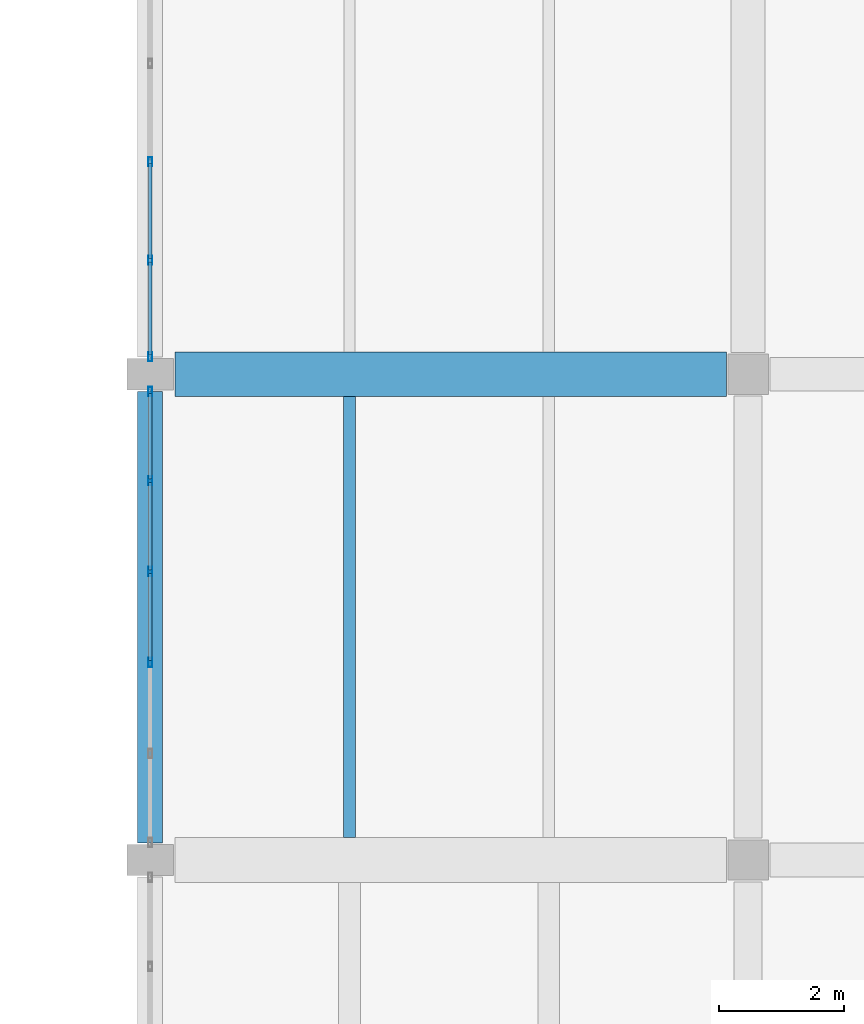
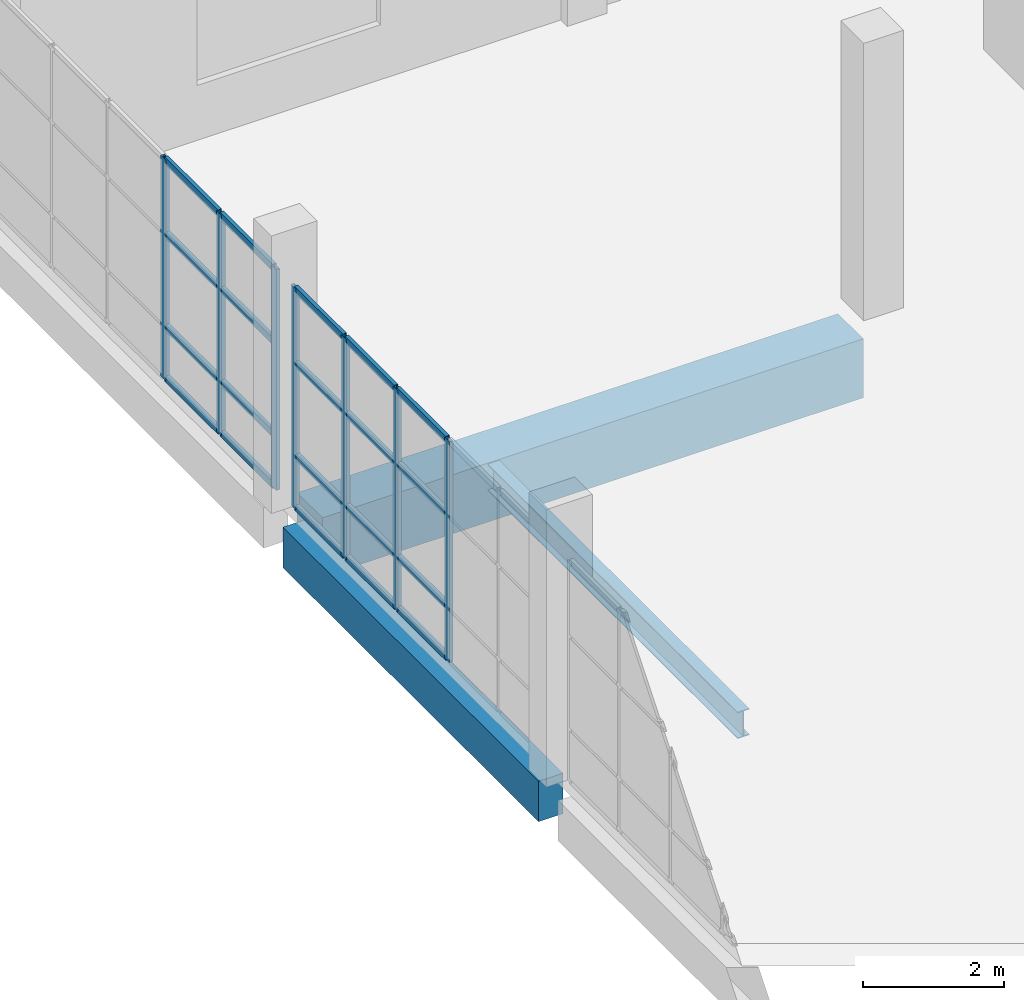
# One storey, part 41 of 79: 27 members, 3 beams, 2 elements without a shape of their own.
"""IFC4 building model written with IfcOpenShell, lengths in metres."""

import ifcopenshell
import ifcopenshell.guid

model = None  # the IFC model being written
_history = None  # IfcOwnerHistory: only IFC2X3 demands one
_inside = {}  # id of a spatial element -> (the spatial element, [elements in it])
_under = {}  # id of a project, library or spatial element -> (it, [spatial elements below it])
_declared = {}  # id of a project -> (the project, [libraries it declares])
_typed = {}  # id of a type object -> (the type object, [elements of that type])
_made_of = {}  # id of a material, layer set ... -> (it, [elements and type objects made of it])


def new_model(schema):
    """Start an empty IFC model of exactly this schema.

    Asked for "IFC4X3", IfcOpenShell would pick the latest addendum, in which some entities
    have other attributes; the version numbers below select the first issue.
    IFC2X3 requires an IfcOwnerHistory on every rooted entity: one is made here for all.
    """
    global model, _history
    if schema == "IFC4X3":
        model = ifcopenshell.file(schema_version=(4, 3, 0, 0))
    else:
        model = ifcopenshell.file(schema=schema)
    _inside.clear()
    _under.clear()
    _declared.clear()
    _typed.clear()
    _made_of.clear()
    _history = None
    if model.schema == "IFC2X3":
        org = make("IfcOrganization", Name="unknown")
        user = make(
            "IfcPersonAndOrganization",
            ThePerson=make("IfcPerson", FamilyName="unknown"),
            TheOrganization=org,
        )
        app = make(
            "IfcApplication",
            ApplicationDeveloper=org,
            Version="unknown",
            ApplicationFullName="unknown",
            ApplicationIdentifier="unknown",
        )
        _history = make(
            "IfcOwnerHistory",
            OwningUser=user,
            OwningApplication=app,
            ChangeAction="ADDED",
            CreationDate=0,
        )
    return model


def make(cls, **values):
    """One entity of the class cls with the attributes given. An attribute that is None is left unset."""
    return model.create_entity(
        cls, **{name: value for name, value in values.items() if value is not None}
    )


def rooted(cls, **values):
    """An entity with a GlobalId (a new one), such as an element, a storey or a relation."""
    return make(cls, GlobalId=ifcopenshell.guid.new(), OwnerHistory=_history, **values)


def si_unit(unit_type, name, prefix=None):
    """IfcSIUnit, for example si_unit("LENGTHUNIT", "METRE", prefix="MILLI")."""
    return make("IfcSIUnit", UnitType=unit_type, Prefix=prefix, Name=name)


def assignment(units):
    """IfcUnitAssignment: the units of a project."""
    return None if units is None else make("IfcUnitAssignment", Units=units)


def point(xyz):
    """IfcCartesianPoint."""
    return None if xyz is None else make("IfcCartesianPoint", Coordinates=xyz)


def direction(xyz):
    """IfcDirection."""
    return None if xyz is None else make("IfcDirection", DirectionRatios=xyz)


def frame(location, z_axis=None, x_axis=None):
    """IfcAxis2Placement3D, a coordinate frame: its origin and axes. An axis left out is left unset."""
    return make(
        "IfcAxis2Placement3D",
        Location=point(location),
        Axis=direction(z_axis),
        RefDirection=direction(x_axis),
    )


def frame_2d(location, x_axis=None):
    """IfcAxis2Placement2D, a coordinate frame in the plane: its origin and x axis."""
    return make(
        "IfcAxis2Placement2D", Location=point(location), RefDirection=direction(x_axis)
    )


def origin():
    """The frame at (0, 0, 0) with its axes left unset."""
    return frame((0.0, 0.0, 0.0))


def origin_2d():
    """The frame at (0, 0) in the plane with its x axis left unset."""
    return frame_2d((0.0, 0.0))


def place(relative_to, where):
    """IfcLocalPlacement: puts the frame where relative to a parent placement (None: the world)."""
    return make(
        "IfcLocalPlacement", PlacementRelTo=relative_to, RelativePlacement=where
    )


def context(
    kind, dimensions, precision=None, world=None, true_north=None, identifier=None
):
    """IfcGeometricRepresentationContext, for example the 3D "Model" context."""
    return make(
        "IfcGeometricRepresentationContext",
        ContextIdentifier=identifier,
        ContextType=kind,
        CoordinateSpaceDimension=dimensions,
        Precision=precision,
        WorldCoordinateSystem=world,
        TrueNorth=true_north,
    )


def subcontext(parent, identifier, kind, view, scale=None):
    """IfcGeometricRepresentationSubContext, for example "Body" below "Model"."""
    return make(
        "IfcGeometricRepresentationSubContext",
        ContextIdentifier=identifier,
        ContextType=kind,
        ParentContext=parent,
        TargetScale=scale,
        TargetView=view,
    )


def project(units=None, contexts=None):
    """IfcProject with its units and contexts."""
    return rooted(
        "IfcProject",
        Name="project",
        RepresentationContexts=contexts,
        UnitsInContext=assignment(units),
    )


def spatial(cls, under=None, at=None, **own):
    """A site, building, storey or space (cls), placed at a placement, below another one or the project."""
    s = rooted(cls, ObjectPlacement=at, **own)
    if under is not None:
        _under.setdefault(under.id(), (under, []))[1].append(s)
    return s


def profile(cls, at=None, kind="AREA", **sizes):
    """A parametric profile (cls). Its sizes go by their IFC names, for example OverallWidth=200.0."""
    return make(cls, ProfileType=kind, Position=at, **sizes)


def rectangle(**sizes):
    """IfcRectangleProfileDef."""
    return profile("IfcRectangleProfileDef", **sizes)


def hollow_rectangle(**sizes):
    """IfcRectangleHollowProfileDef."""
    return profile("IfcRectangleHollowProfileDef", **sizes)


def i_section(**sizes):
    """IfcIShapeProfileDef."""
    return profile("IfcIShapeProfileDef", **sizes)


def extrude(swept, where, along, depth):
    """IfcExtrudedAreaSolid: the profile swept, set in the frame where, extruded along a direction by depth."""
    return make(
        "IfcExtrudedAreaSolid",
        SweptArea=swept,
        Position=where,
        ExtrudedDirection=direction(along),
        Depth=depth,
    )


def shape(context_of_items, identifier, shape_type, items):
    """IfcShapeRepresentation: the items that make up one representation, for example the "Body"."""
    return make(
        "IfcShapeRepresentation",
        ContextOfItems=context_of_items,
        RepresentationIdentifier=identifier,
        RepresentationType=shape_type,
        Items=items,
    )


def material(Name=None, Category=None):
    """IfcMaterial."""
    return make("IfcMaterial", Name=Name, Category=Category)


def material_profile(
    of_material, cross_section, Name=None, Category=None, Priority=None
):
    """IfcMaterialProfile: a cross section and its material."""
    return make(
        "IfcMaterialProfile",
        Name=Name,
        Material=of_material,
        Profile=cross_section,
        Priority=Priority,
        Category=Category,
    )


def profile_set(profiles, Name=None, composite=None):
    """IfcMaterialProfileSet."""
    return make(
        "IfcMaterialProfileSet",
        Name=Name,
        MaterialProfiles=profiles,
        CompositeProfile=composite,
    )


def made_of(thing, what):
    """Note that an element or type object is made of a material, layer set ...; save() writes the relation."""
    if what is not None:
        _made_of.setdefault(what.id(), (what, []))[1].append(thing)
    return thing


def type_object(cls, material=None, **own):
    """A type object (cls), such as IfcWallType, which elements share."""
    return made_of(rooted(cls, **own), material)


def element(
    cls,
    number,
    at=None,
    inside=None,
    cuts=None,
    type_object=None,
    material=None,
    context=None,
    identifier="Body",
    shape_type=None,
    held_by="IfcProductDefinitionShape",
    body=None,
    shapes=None,
    **own,
):
    """One element of the class cls, such as IfcWall. Its Tag is "e" and its number.

    at: its placement. inside: the storey or other place that contains it. cuts: it is an
    opening in that element (IfcRelVoidsElement). A single representation is given by context,
    identifier, shape_type and body (its items); several are given by shapes. held_by: the class
    of the entity that holds the representations. save() writes the other relations.
    """
    e = rooted(cls, Tag="e%d" % number, ObjectPlacement=at, **own)
    if body is not None:
        shapes = [shape(context, identifier, shape_type, body)]
    if shapes is not None:
        e.Representation = make(held_by, Representations=shapes)
    if inside is not None:
        _inside.setdefault(inside.id(), (inside, []))[1].append(e)
    if cuts is not None:
        rooted(
            "IfcRelVoidsElement", RelatingBuildingElement=cuts, RelatedOpeningElement=e
        )
    if type_object is not None:
        _typed.setdefault(type_object.id(), (type_object, []))[1].append(e)
    return made_of(e, material)


def aggregate(whole, parts):
    """IfcRelAggregates: a whole, such as a stair, and the parts it consists of."""
    return rooted("IfcRelAggregates", RelatingObject=whole, RelatedObjects=parts)


def save(model, path):
    """Write the relations noted so far, then the file.

    IfcRelAggregates (storeys below a building ...), IfcRelContainedInSpatialStructure (elements
    in a storey), IfcRelDefinesByType, IfcRelAssociatesMaterial and IfcRelDeclares: one each for
    every whole, place, type object, material and project.
    """
    for whole, parts in _under.values():
        aggregate(whole, parts)
    for where, things in _inside.values():
        rooted(
            "IfcRelContainedInSpatialStructure",
            RelatedElements=things,
            RelatingStructure=where,
        )
    for kind, things in _typed.values():
        rooted("IfcRelDefinesByType", RelatedObjects=things, RelatingType=kind)
    for what, things in _made_of.values():
        rooted("IfcRelAssociatesMaterial", RelatedObjects=things, RelatingMaterial=what)
    for by, libraries in _declared.values():
        rooted("IfcRelDeclares", RelatingContext=by, RelatedDefinitions=libraries)
    model.write(path)


model = new_model("IFC4")

# Units and contexts
model_context = context("Model", 3, precision=1e-05, world=origin(), true_north=direction((0.0, 1.0)))
body_context = subcontext(model_context, "Body", "Model", "MODEL_VIEW")
ifc_project = project(units=[si_unit("LENGTHUNIT", "METRE"), si_unit("AREAUNIT", "SQUARE_METRE"), si_unit("VOLUMEUNIT", "CUBIC_METRE"), si_unit("PLANEANGLEUNIT", "RADIAN"), si_unit("MASSUNIT", "GRAM", prefix="KILO")], contexts=[model_context])

# Site, building, storey
site_placement = place(None, origin())
site = spatial("IfcSite", under=ifc_project, at=site_placement, CompositionType="ELEMENT")
building_placement = place(site_placement, origin())
building = spatial("IfcBuilding", under=site, at=building_placement, Name="Pellamere Symphony Hall", CompositionType="ELEMENT")
storey_placement = place(building_placement, frame((0.0, 0.0, 10.199951171875)))
storey = spatial("IfcBuildingStorey", under=building, at=storey_placement, Name="L02", CompositionType="ELEMENT", Elevation=10.199951171875)

# Curtain wall, members
ifc_material_1 = material(Name="Thermally Broken Anodised Aluminium 6063-T6 Curtain Wall", Category="aluminium")
curtain_wall_type = type_object("IfcCurtainWallType", Name="Curtain Wall CW-05 (Artists Wing North Studio Ribbon Curtain Wall)", PredefinedType="NOTDEFINED", material=ifc_material_1)
curtain_wall_1_placement = place(storey_placement, origin())
curtain_wall_1 = element("IfcCurtainWall", 1, at=curtain_wall_1_placement, inside=storey, type_object=curtain_wall_type, Name="Sculpture Court East Wing Curtain Wall (L02 Bay 3)", PredefinedType="NOTDEFINED")
ifc_material_2 = material(Name="Anodised Architectural Aluminium 6063-T6", Category="aluminium")
ifc_material_profile_1 = material_profile(ifc_material_2, hollow_rectangle(XDim=0.06005859375, YDim=0.14990234375, WallThickness=0.00390625, at=origin_2d()), Name="ALU-M60X150X4")
ifc_profile_set_1 = profile_set([ifc_material_profile_1], Name="Anodised Architectural Aluminium 6063-T6")
member_type_1 = type_object("IfcMemberType", Name="Curtain Wall Mullion ML-03 ALU-M60X150X4", PredefinedType="MULLION", material=ifc_profile_set_1)
member_1_placement = place(storey_placement, frame((138.0, 80.570068359375, 0.0), z_axis=(0.0, 0.0, 1.0), x_axis=(-1.0, 0.0, 0.0)))
member_1 = element("IfcMember", 2, at=member_1_placement, type_object=member_type_1, Name="CW5-139 crystal mullion 3", PredefinedType="MULLION", context=body_context, shape_type="SweptSolid", body=[
    extrude(hollow_rectangle(XDim=0.06005859375, YDim=0.14990234375, WallThickness=0.00390625, at=origin_2d()), origin(), (0.0, 0.0, 1.0), 3.820068359375),
])
member_2_placement = place(storey_placement, frame((138.0, 82.030029296875, 0.0), z_axis=(0.0, 0.0, 1.0), x_axis=(-1.0, 0.0, 0.0)))
member_2 = element("IfcMember", 3, at=member_2_placement, type_object=member_type_1, Name="CW5-139 crystal mullion 4", PredefinedType="MULLION", context=body_context, shape_type="SweptSolid", body=[
    extrude(hollow_rectangle(XDim=0.06005859375, YDim=0.14990234375, WallThickness=0.00390625, at=origin_2d()), origin(), (0.0, 0.0, 1.0), 3.820068359375),
])
member_3_placement = place(storey_placement, frame((138.0, 83.489990234375, 0.0), z_axis=(0.0, 0.0, 1.0), x_axis=(-1.0, 0.0, 0.0)))
member_3 = element("IfcMember", 4, at=member_3_placement, type_object=member_type_1, Name="CW5-139 crystal mullion 5", PredefinedType="MULLION", context=body_context, shape_type="SweptSolid", body=[
    extrude(hollow_rectangle(XDim=0.06005859375, YDim=0.14990234375, WallThickness=0.00390625, at=origin_2d()), origin(), (0.0, 0.0, 1.0), 3.820068359375),
])
member_4_placement = place(storey_placement, frame((138.0, 84.919921875, 0.0), z_axis=(0.0, 0.0, 1.0), x_axis=(-1.0, 0.0, 0.0)))
member_4 = element("IfcMember", 5, at=member_4_placement, type_object=member_type_1, Name="CW5-139 crystal mullion 6", PredefinedType="MULLION", context=body_context, shape_type="SweptSolid", body=[
    extrude(hollow_rectangle(XDim=0.06005859375, YDim=0.14990234375, WallThickness=0.00390625, at=origin_2d()), origin(), (0.0, 0.0, 1.0), 3.820068359375),
])

curtain_wall_2_placement = place(storey_placement, origin())
curtain_wall_2 = element("IfcCurtainWall", 6, at=curtain_wall_2_placement, inside=storey, type_object=curtain_wall_type, Name="Sculpture Court East Wing Curtain Wall (L02 Bay 4)", PredefinedType="NOTDEFINED")
member_5_placement = place(storey_placement, frame((138.0, 85.47998046875, 0.0), z_axis=(0.0, 0.0, 1.0), x_axis=(-1.0, 0.0, 0.0)))
member_5 = element("IfcMember", 7, at=member_5_placement, type_object=member_type_1, Name="CW5-140 crystal mullion 1", PredefinedType="MULLION", context=body_context, shape_type="SweptSolid", body=[
    extrude(hollow_rectangle(XDim=0.06005859375, YDim=0.14990234375, WallThickness=0.00390625, at=origin_2d()), origin(), (0.0, 0.0, 1.0), 3.820068359375),
])
member_6_placement = place(storey_placement, frame((138.0, 87.030029296875, 0.0), z_axis=(0.0, 0.0, 1.0), x_axis=(-1.0, 0.0, 0.0)))
member_6 = element("IfcMember", 8, at=member_6_placement, type_object=member_type_1, Name="CW5-140 crystal mullion 2", PredefinedType="MULLION", context=body_context, shape_type="SweptSolid", body=[
    extrude(hollow_rectangle(XDim=0.06005859375, YDim=0.14990234375, WallThickness=0.00390625, at=origin_2d()), origin(), (0.0, 0.0, 1.0), 3.820068359375),
])
member_7_placement = place(storey_placement, frame((138.0, 88.610107421875, 0.0), z_axis=(0.0, 0.0, 1.0), x_axis=(-1.0, 0.0, 0.0)))
member_7 = element("IfcMember", 9, at=member_7_placement, type_object=member_type_1, Name="CW5-140 crystal mullion 3", PredefinedType="MULLION", context=body_context, shape_type="SweptSolid", body=[
    extrude(hollow_rectangle(XDim=0.06005859375, YDim=0.14990234375, WallThickness=0.00390625, at=origin_2d()), origin(), (0.0, 0.0, 1.0), 3.820068359375),
])

# Member
ifc_material_profile_2 = material_profile(ifc_material_2, hollow_rectangle(XDim=0.06005859375, YDim=0.1201171875, WallThickness=0.00390625, at=origin_2d()), Name="ALU-T60X120X4")
ifc_profile_set_2 = profile_set([ifc_material_profile_2], Name="Anodised Architectural Aluminium 6063-T6")
member_type_2 = type_object("IfcMemberType", Name="Curtain Wall Transom TR-03 ALU-T60X120X4", PredefinedType="USERDEFINED", material=ifc_profile_set_2)
member_8_placement = place(storey_placement, frame((138.0, 80.60009765625, 0.030029296875), z_axis=(0.0, 1.0, 0.0), x_axis=(-1.0, 0.0, 0.0)))
member_8 = element("IfcMember", 10, at=member_8_placement, type_object=member_type_2, Name="CW5-139 crystal transom 3.1", ObjectType="TRANSOM", PredefinedType="USERDEFINED", context=body_context, shape_type="SweptSolid", body=[
    extrude(hollow_rectangle(XDim=0.06005859375, YDim=0.1201171875, WallThickness=0.00390625, at=origin_2d()), origin(), (0.0, 0.0, 1.0), 1.39990234375),
])

member_9_placement = place(storey_placement, frame((138.0, 80.60009765625, 0.916748046875), z_axis=(0.0, 1.0, 0.0), x_axis=(-1.0, 0.0, 0.0)))
member_9 = element("IfcMember", 11, at=member_9_placement, type_object=member_type_2, Name="CW5-139 crystal transom 3.2", ObjectType="TRANSOM", PredefinedType="USERDEFINED", context=body_context, shape_type="SweptSolid", body=[
    extrude(hollow_rectangle(XDim=0.06005859375, YDim=0.1201171875, WallThickness=0.00390625, at=origin_2d()), origin(), (0.0, 0.0, 1.0), 1.39990234375),
])

member_10_placement = place(storey_placement, frame((138.0, 80.60009765625, 2.521240234375), z_axis=(0.0, 1.0, 0.0), x_axis=(-1.0, 0.0, 0.0)))
member_10 = element("IfcMember", 12, at=member_10_placement, type_object=member_type_2, Name="CW5-139 crystal transom 3.3", ObjectType="TRANSOM", PredefinedType="USERDEFINED", context=body_context, shape_type="SweptSolid", body=[
    extrude(hollow_rectangle(XDim=0.06005859375, YDim=0.1201171875, WallThickness=0.00390625, at=origin_2d()), origin(), (0.0, 0.0, 1.0), 1.39990234375),
])

member_11_placement = place(storey_placement, frame((138.0, 80.60009765625, 3.7900390625), z_axis=(0.0, 1.0, 0.0), x_axis=(-1.0, 0.0, 0.0)))
member_11 = element("IfcMember", 13, at=member_11_placement, type_object=member_type_2, Name="CW5-139 crystal transom 3.4", ObjectType="TRANSOM", PredefinedType="USERDEFINED", context=body_context, shape_type="SweptSolid", body=[
    extrude(hollow_rectangle(XDim=0.06005859375, YDim=0.1201171875, WallThickness=0.00390625, at=origin_2d()), origin(), (0.0, 0.0, 1.0), 1.39990234375),
])

member_12_placement = place(storey_placement, frame((138.0, 82.06005859375, 0.030029296875), z_axis=(0.0, 1.0, 0.0), x_axis=(-1.0, 0.0, 0.0)))
member_12 = element("IfcMember", 14, at=member_12_placement, type_object=member_type_2, Name="CW5-139 crystal transom 4.1", ObjectType="TRANSOM", PredefinedType="USERDEFINED", context=body_context, shape_type="SweptSolid", body=[
    extrude(hollow_rectangle(XDim=0.06005859375, YDim=0.1201171875, WallThickness=0.00390625, at=origin_2d()), origin(), (0.0, 0.0, 1.0), 1.39990234375),
])

member_13_placement = place(storey_placement, frame((138.0, 82.06005859375, 0.916748046875), z_axis=(0.0, 1.0, 0.0), x_axis=(-1.0, 0.0, 0.0)))
member_13 = element("IfcMember", 15, at=member_13_placement, type_object=member_type_2, Name="CW5-139 crystal transom 4.2", ObjectType="TRANSOM", PredefinedType="USERDEFINED", context=body_context, shape_type="SweptSolid", body=[
    extrude(hollow_rectangle(XDim=0.06005859375, YDim=0.1201171875, WallThickness=0.00390625, at=origin_2d()), origin(), (0.0, 0.0, 1.0), 1.39990234375),
])

member_14_placement = place(storey_placement, frame((138.0, 82.06005859375, 2.521240234375), z_axis=(0.0, 1.0, 0.0), x_axis=(-1.0, 0.0, 0.0)))
member_14 = element("IfcMember", 16, at=member_14_placement, type_object=member_type_2, Name="CW5-139 crystal transom 4.3", ObjectType="TRANSOM", PredefinedType="USERDEFINED", context=body_context, shape_type="SweptSolid", body=[
    extrude(hollow_rectangle(XDim=0.06005859375, YDim=0.1201171875, WallThickness=0.00390625, at=origin_2d()), origin(), (0.0, 0.0, 1.0), 1.39990234375),
])

member_15_placement = place(storey_placement, frame((138.0, 82.06005859375, 3.7900390625), z_axis=(0.0, 1.0, 0.0), x_axis=(-1.0, 0.0, 0.0)))
member_15 = element("IfcMember", 17, at=member_15_placement, type_object=member_type_2, Name="CW5-139 crystal transom 4.4", ObjectType="TRANSOM", PredefinedType="USERDEFINED", context=body_context, shape_type="SweptSolid", body=[
    extrude(hollow_rectangle(XDim=0.06005859375, YDim=0.1201171875, WallThickness=0.00390625, at=origin_2d()), origin(), (0.0, 0.0, 1.0), 1.39990234375),
])

member_16_placement = place(storey_placement, frame((138.0, 83.52001953125, 0.030029296875), z_axis=(0.0, 1.0, 0.0), x_axis=(-1.0, 0.0, 0.0)))
member_16 = element("IfcMember", 18, at=member_16_placement, type_object=member_type_2, Name="CW5-139 crystal transom 5.1", ObjectType="TRANSOM", PredefinedType="USERDEFINED", context=body_context, shape_type="SweptSolid", body=[
    extrude(hollow_rectangle(XDim=0.06005859375, YDim=0.1201171875, WallThickness=0.00390625, at=origin_2d()), origin(), (0.0, 0.0, 1.0), 1.369873046875),
])

member_17_placement = place(storey_placement, frame((138.0, 83.52001953125, 0.916748046875), z_axis=(0.0, 1.0, 0.0), x_axis=(-1.0, 0.0, 0.0)))
member_17 = element("IfcMember", 19, at=member_17_placement, type_object=member_type_2, Name="CW5-139 crystal transom 5.2", ObjectType="TRANSOM", PredefinedType="USERDEFINED", context=body_context, shape_type="SweptSolid", body=[
    extrude(hollow_rectangle(XDim=0.06005859375, YDim=0.1201171875, WallThickness=0.00390625, at=origin_2d()), origin(), (0.0, 0.0, 1.0), 1.369873046875),
])

member_18_placement = place(storey_placement, frame((138.0, 83.52001953125, 2.521240234375), z_axis=(0.0, 1.0, 0.0), x_axis=(-1.0, 0.0, 0.0)))
member_18 = element("IfcMember", 20, at=member_18_placement, type_object=member_type_2, Name="CW5-139 crystal transom 5.3", ObjectType="TRANSOM", PredefinedType="USERDEFINED", context=body_context, shape_type="SweptSolid", body=[
    extrude(hollow_rectangle(XDim=0.06005859375, YDim=0.1201171875, WallThickness=0.00390625, at=origin_2d()), origin(), (0.0, 0.0, 1.0), 1.369873046875),
])

member_19_placement = place(storey_placement, frame((138.0, 83.52001953125, 3.7900390625), z_axis=(0.0, 1.0, 0.0), x_axis=(-1.0, 0.0, 0.0)))
member_19 = element("IfcMember", 21, at=member_19_placement, type_object=member_type_2, Name="CW5-139 crystal transom 5.4", ObjectType="TRANSOM", PredefinedType="USERDEFINED", context=body_context, shape_type="SweptSolid", body=[
    extrude(hollow_rectangle(XDim=0.06005859375, YDim=0.1201171875, WallThickness=0.00390625, at=origin_2d()), origin(), (0.0, 0.0, 1.0), 1.369873046875),
])

aggregate(curtain_wall_1, [member_1, member_2, member_3, member_4, member_8, member_9, member_10, member_11, member_12, member_13, member_14, member_15, member_16, member_17, member_18, member_19])

member_20_placement = place(storey_placement, frame((138.0, 85.510009765625, 0.030029296875), z_axis=(0.0, 1.0, 0.0), x_axis=(-1.0, 0.0, 0.0)))
member_20 = element("IfcMember", 22, at=member_20_placement, type_object=member_type_2, Name="CW5-140 crystal transom 1.1", ObjectType="TRANSOM", PredefinedType="USERDEFINED", context=body_context, shape_type="SweptSolid", body=[
    extrude(hollow_rectangle(XDim=0.06005859375, YDim=0.1201171875, WallThickness=0.00390625, at=origin_2d()), origin(), (0.0, 0.0, 1.0), 1.489990234375),
])

member_21_placement = place(storey_placement, frame((138.0, 85.510009765625, 0.916748046875), z_axis=(0.0, 1.0, 0.0), x_axis=(-1.0, 0.0, 0.0)))
member_21 = element("IfcMember", 23, at=member_21_placement, type_object=member_type_2, Name="CW5-140 crystal transom 1.2", ObjectType="TRANSOM", PredefinedType="USERDEFINED", context=body_context, shape_type="SweptSolid", body=[
    extrude(hollow_rectangle(XDim=0.06005859375, YDim=0.1201171875, WallThickness=0.00390625, at=origin_2d()), origin(), (0.0, 0.0, 1.0), 1.489990234375),
])

member_22_placement = place(storey_placement, frame((138.0, 85.510009765625, 2.521240234375), z_axis=(0.0, 1.0, 0.0), x_axis=(-1.0, 0.0, 0.0)))
member_22 = element("IfcMember", 24, at=member_22_placement, type_object=member_type_2, Name="CW5-140 crystal transom 1.3", ObjectType="TRANSOM", PredefinedType="USERDEFINED", context=body_context, shape_type="SweptSolid", body=[
    extrude(hollow_rectangle(XDim=0.06005859375, YDim=0.1201171875, WallThickness=0.00390625, at=origin_2d()), origin(), (0.0, 0.0, 1.0), 1.489990234375),
])

member_23_placement = place(storey_placement, frame((138.0, 85.510009765625, 3.7900390625), z_axis=(0.0, 1.0, 0.0), x_axis=(-1.0, 0.0, 0.0)))
member_23 = element("IfcMember", 25, at=member_23_placement, type_object=member_type_2, Name="CW5-140 crystal transom 1.4", ObjectType="TRANSOM", PredefinedType="USERDEFINED", context=body_context, shape_type="SweptSolid", body=[
    extrude(hollow_rectangle(XDim=0.06005859375, YDim=0.1201171875, WallThickness=0.00390625, at=origin_2d()), origin(), (0.0, 0.0, 1.0), 1.489990234375),
])

member_24_placement = place(storey_placement, frame((138.0, 87.06005859375, 0.030029296875), z_axis=(0.0, 1.0, 0.0), x_axis=(-1.0, 0.0, 0.0)))
member_24 = element("IfcMember", 26, at=member_24_placement, type_object=member_type_2, Name="CW5-140 crystal transom 2.1", ObjectType="TRANSOM", PredefinedType="USERDEFINED", context=body_context, shape_type="SweptSolid", body=[
    extrude(hollow_rectangle(XDim=0.06005859375, YDim=0.1201171875, WallThickness=0.00390625, at=origin_2d()), origin(), (0.0, 0.0, 1.0), 1.52001953125),
])

member_25_placement = place(storey_placement, frame((138.0, 87.06005859375, 0.916748046875), z_axis=(0.0, 1.0, 0.0), x_axis=(-1.0, 0.0, 0.0)))
member_25 = element("IfcMember", 27, at=member_25_placement, type_object=member_type_2, Name="CW5-140 crystal transom 2.2", ObjectType="TRANSOM", PredefinedType="USERDEFINED", context=body_context, shape_type="SweptSolid", body=[
    extrude(hollow_rectangle(XDim=0.06005859375, YDim=0.1201171875, WallThickness=0.00390625, at=origin_2d()), origin(), (0.0, 0.0, 1.0), 1.52001953125),
])

member_26_placement = place(storey_placement, frame((138.0, 87.06005859375, 2.521240234375), z_axis=(0.0, 1.0, 0.0), x_axis=(-1.0, 0.0, 0.0)))
member_26 = element("IfcMember", 28, at=member_26_placement, type_object=member_type_2, Name="CW5-140 crystal transom 2.3", ObjectType="TRANSOM", PredefinedType="USERDEFINED", context=body_context, shape_type="SweptSolid", body=[
    extrude(hollow_rectangle(XDim=0.06005859375, YDim=0.1201171875, WallThickness=0.00390625, at=origin_2d()), origin(), (0.0, 0.0, 1.0), 1.52001953125),
])

member_27_placement = place(storey_placement, frame((138.0, 87.06005859375, 3.7900390625), z_axis=(0.0, 1.0, 0.0), x_axis=(-1.0, 0.0, 0.0)))
member_27 = element("IfcMember", 29, at=member_27_placement, type_object=member_type_2, Name="CW5-140 crystal transom 2.4", ObjectType="TRANSOM", PredefinedType="USERDEFINED", context=body_context, shape_type="SweptSolid", body=[
    extrude(hollow_rectangle(XDim=0.06005859375, YDim=0.1201171875, WallThickness=0.00390625, at=origin_2d()), origin(), (0.0, 0.0, 1.0), 1.52001953125),
])

aggregate(curtain_wall_2, [member_5, member_6, member_7, member_20, member_21, member_22, member_23, member_24, member_25, member_26, member_27])

# Beams
ifc_material_3 = material(Name="Concrete 40 MPa", Category="concrete")
ifc_material_profile_3 = material_profile(ifc_material_3, rectangle(XDim=0.39990234375, YDim=0.699951171875, at=origin_2d()), Name="RC 400x700")
ifc_profile_set_3 = profile_set([ifc_material_profile_3], Name="Concrete 40 MPa")
beam_type_1 = type_object("IfcBeamType", Name="RC CB-13 400x700", PredefinedType="SPANDREL", material=ifc_profile_set_3)
beam_1_placement = place(storey_placement, frame((138.0, 77.675048828125, -0.6298828125), z_axis=(0.0, 1.0, 0.0), x_axis=(-1.0, 0.0, 0.0)))
element("IfcBeam", 30, at=beam_1_placement, inside=storey, type_object=beam_type_1, Name="Girder CB-13-Y1351 (L02)", PredefinedType="SPANDREL", context=body_context, shape_type="SweptSolid", body=[
    extrude(rectangle(XDim=0.39990234375, YDim=0.699951171875, at=origin_2d()), origin(), (0.0, 0.0, 1.0), 7.25),
])
ifc_material_profile_4 = material_profile(ifc_material_3, rectangle(XDim=0.719970703125, YDim=1.02001953125, at=origin_2d()), Name="RC 720x1020")
ifc_profile_set_4 = profile_set([ifc_material_profile_4], Name="Concrete 40 MPa")
beam_type_2 = type_object("IfcBeamType", Name="RC CB-23 720x1020", PredefinedType="BEAM", material=ifc_profile_set_4)
beam_2_placement = place(storey_placement, frame((138.39990234375, 85.199951171875, -0.7900390625), z_axis=(1.0, 0.0, 0.0), x_axis=(0.0, 1.0, 0.0)))
element("IfcBeam", 31, at=beam_2_placement, inside=storey, type_object=beam_type_2, Name="Girder CB-23-X1173 (L02)", PredefinedType="BEAM", context=body_context, shape_type="SweptSolid", body=[
    extrude(rectangle(XDim=0.719970703125, YDim=1.02001953125, at=origin_2d()), origin(), (0.0, 0.0, 1.0), 8.85009765625),
])
ifc_material_4 = material(Name="Steel CSA G40.21 350W", Category="steel")
ifc_material_profile_5 = material_profile(ifc_material_4, i_section(OverallWidth=0.19091796875, OverallDepth=0.4599609375, WebThickness=0.010009765625, FlangeThickness=0.014404296875, at=origin_2d()), Name="W460X82")
ifc_profile_set_5 = profile_set([ifc_material_profile_5], Name="Steel CSA G40.21 350W")
beam_type_3 = type_object("IfcBeamType", Name="Steel Joist SB-17 W460X82", PredefinedType="JOIST", material=ifc_profile_set_5)
beam_3_placement = place(storey_placement, frame((141.199951171875, 77.760009765625, -0.52490234375), z_axis=(0.0, 1.0, 0.0), x_axis=(-1.0, 0.0, 0.0)))
element("IfcBeam", 32, at=beam_3_placement, inside=storey, type_object=beam_type_3, Name="Secondary Floor Beam SB-17-A1710 (L02)", PredefinedType="JOIST", context=body_context, shape_type="SweptSolid", body=[
    extrude(i_section(OverallWidth=0.19091796875, OverallDepth=0.4599609375, WebThickness=0.010009765625, FlangeThickness=0.014404296875, at=origin_2d()), origin(), (0.0, 0.0, 1.0), 7.080078125),
])

save(model, "model.ifc")
